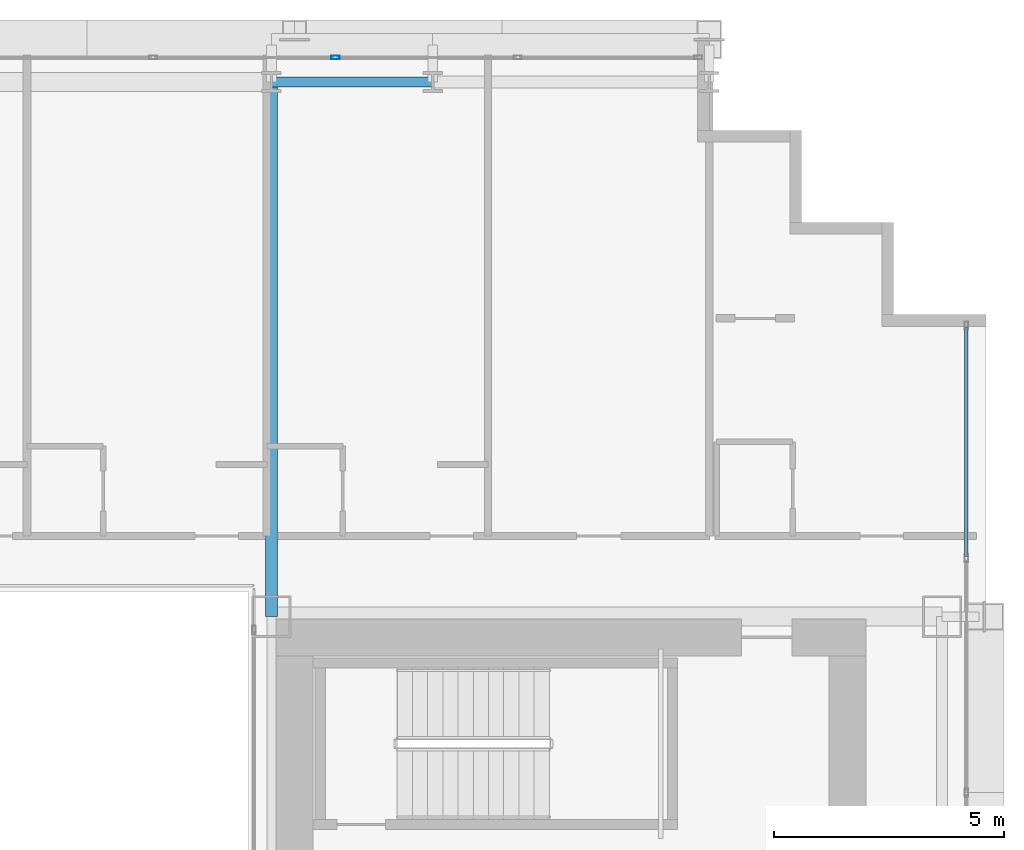
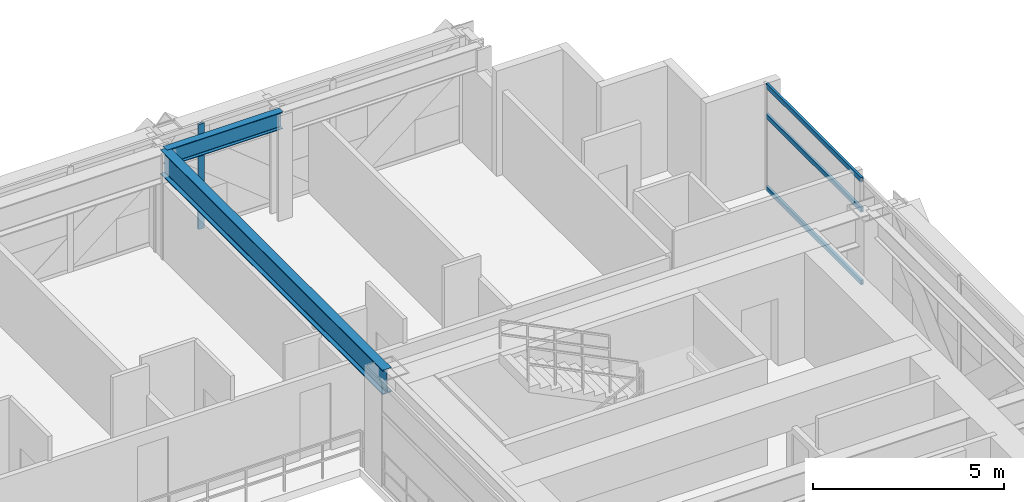
# One storey, part 24 of 41: 4 members, 2 beams, 2 elements without a shape of their own.
"""IFC4 building model written with IfcOpenShell, lengths in metres."""

from ifc_helpers import new_model, si_unit, direction, frame, origin, origin_2d, place, context, subcontext, project, spatial, hollow_rectangle, i_section, extrude, source, transform, mapped, material, layer, layer_set, material_profile, profile_set, type_object, element, aggregate, save


model = new_model("IFC4")

# Units and contexts
model_context = context("Model", 3, precision=1e-05, world=origin(), true_north=direction((0.0, 1.0)))
body_context = subcontext(model_context, "Body", "Model", "MODEL_VIEW")
ifc_project = project(units=[si_unit("LENGTHUNIT", "METRE"), si_unit("AREAUNIT", "SQUARE_METRE"), si_unit("VOLUMEUNIT", "CUBIC_METRE"), si_unit("PLANEANGLEUNIT", "RADIAN"), si_unit("MASSUNIT", "GRAM", prefix="KILO")], contexts=[model_context])

# Site, building, storey
site_placement = place(None, origin())
site = spatial("IfcSite", under=ifc_project, at=site_placement, CompositionType="ELEMENT")
building_placement = place(site_placement, origin())
building = spatial("IfcBuilding", under=site, at=building_placement, Name="Ocotamira Hotel", CompositionType="ELEMENT")
storey_placement = place(building_placement, frame((0.0, 0.0, 67.199951171875)))
storey = spatial("IfcBuildingStorey", under=building, at=storey_placement, Name="L16", CompositionType="ELEMENT", Elevation=67.199951171875)

# Beams
ifc_material_1 = material(Name="Steel ASTM A992 Grade 50", Category="steel")
ifc_material_profile_1 = material_profile(ifc_material_1, i_section(OverallWidth=0.2099609375, OverallDepth=0.537109375, WebThickness=0.010986328125, FlangeThickness=0.017333984375, FilletRadius=0.012939453125, at=origin_2d()), Name="W21X68")
ifc_profile_set_1 = profile_set([ifc_material_profile_1], Name="Steel ASTM A992 Grade 50")
beam_type_1 = type_object("IfcBeamType", Name="BM-SEC-W21X68", PredefinedType="JOIST", material=ifc_profile_set_1)
shared_shape_1 = source(origin(), body_context, "Body", "SweptSolid", [
    extrude(i_section(OverallWidth=0.2099609375, OverallDepth=0.537109375, WebThickness=0.010986328125, FlangeThickness=0.017333984375, FilletRadius=0.012939453125, at=origin_2d()), origin(), (0.0, 0.0, 1.0), 3.5),
])
beam_1_placement = place(storey_placement, frame((40.5, 49.050048828125, 3.08154296875), z_axis=(1.0, 0.0, 0.0), x_axis=(0.0, 1.0, 0.0)))
element("IfcBeam", 1, at=beam_1_placement, inside=storey, type_object=beam_type_1, Name="L16 Girder Y49.05 X40.5-44", PredefinedType="JOIST", context=body_context, shape_type="MappedRepresentation", body=[
    mapped(shared_shape_1, transform((0.0, 0.0, 0.0), scale=1.0)),
])
ifc_material_profile_2 = material_profile(ifc_material_1, i_section(OverallWidth=0.26611328125, OverallDepth=0.779052734375, WebThickness=0.0166015625, FlangeThickness=0.030029296875, FilletRadius=0.01806640625, at=origin_2d()), Name="W30X148")
ifc_profile_set_2 = profile_set([ifc_material_profile_2], Name="Steel ASTM A992 Grade 50")
beam_type_2 = type_object("IfcBeamType", Name="BM-GIRD-W30X148", PredefinedType="BEAM", material=ifc_profile_set_2)
shared_shape_2 = source(origin(), body_context, "Body", "SweptSolid", [
    extrude(i_section(OverallWidth=0.26611328125, OverallDepth=0.779052734375, WebThickness=0.0166015625, FlangeThickness=0.030029296875, FilletRadius=0.01806640625, at=origin_2d()), origin(), (0.0, 0.0, 1.0), 11.60009765625),
])
beam_2_placement = place(storey_placement, frame((40.5, 37.449951171875, 2.96044921875), z_axis=(0.0, 1.0, 0.0), x_axis=(-1.0, 0.0, 0.0)))
element("IfcBeam", 2, at=beam_2_placement, inside=storey, type_object=beam_type_2, Name="L16 Beam X40.5 Y37.45-49.05", PredefinedType="BEAM", context=body_context, shape_type="MappedRepresentation", body=[
    mapped(shared_shape_2, transform((0.0, 0.0, 0.0), scale=1.0)),
])

# Curtain wall, members
ifc_material_2 = material(Name="Anodised pale-metal aluminium and solar glass", Category="aluminium")
ifc_layer = layer(ifc_material_2, 0.179931640625)
ifc_layer_set = layer_set([ifc_layer], Name="Anodised pale-metal aluminium and solar glass")
curtain_wall_type = type_object("IfcCurtainWallType", Name="CW-SYS2-Z1", PredefinedType="NOTDEFINED", material=ifc_layer_set)
curtain_wall_1_placement = place(storey_placement, origin())
curtain_wall_1 = element("IfcCurtainWall", 3, at=curtain_wall_1_placement, inside=storey, type_object=curtain_wall_type, Name="L16 Curtain Wall CW-2 CW-L16-E", PredefinedType="NOTDEFINED")
ifc_material_3 = material(Name="Anodised pale-metal aluminium 6063-T6", Category="aluminium")
ifc_material_profile_3 = material_profile(ifc_material_3, hollow_rectangle(XDim=0.074951171875, YDim=0.14990234375, WallThickness=0.006103515625, at=origin_2d()), Name="HSS150X75X6")
ifc_profile_set_3 = profile_set([ifc_material_profile_3], Name="Anodised pale-metal aluminium 6063-T6")
member_type_1 = type_object("IfcMemberType", Name="CWT-150X75", PredefinedType="USERDEFINED", material=ifc_profile_set_3)
shared_shape_3 = source(origin(), body_context, "Body", "SweptSolid", [
    extrude(hollow_rectangle(XDim=0.074951171875, YDim=0.14990234375, WallThickness=0.006103515625, at=origin_2d()), origin(), (0.0, 0.0, 1.0), 4.965576171875),
])
member_1_placement = place(storey_placement, frame((55.580078125, 38.75439453125, 0.03759765625), z_axis=(0.0, 1.0, 0.0), x_axis=(-1.0, 0.0, 0.0)))
member_1 = element("IfcMember", 4, at=member_1_placement, type_object=member_type_1, Name="CW-2 transom 7.1", ObjectType="TRANSOM", PredefinedType="USERDEFINED", context=body_context, shape_type="MappedRepresentation", body=[
    mapped(shared_shape_3, transform((0.0, 0.0, 0.0), scale=1.0)),
])
member_2_placement = place(storey_placement, frame((55.580078125, 38.75439453125, 2.35009765625), z_axis=(0.0, 1.0, 0.0), x_axis=(-1.0, 0.0, 0.0)))
member_2 = element("IfcMember", 5, at=member_2_placement, type_object=member_type_1, Name="CW-2 transom 7.2", ObjectType="TRANSOM", PredefinedType="USERDEFINED", context=body_context, shape_type="MappedRepresentation", body=[
    mapped(shared_shape_3, transform((0.0, 0.0, 0.0), scale=1.0)),
])
member_3_placement = place(storey_placement, frame((55.580078125, 38.75439453125, 3.3125), z_axis=(0.0, 1.0, 0.0), x_axis=(-1.0, 0.0, 0.0)))
member_3 = element("IfcMember", 6, at=member_3_placement, type_object=member_type_1, Name="CW-2 transom 7.3", ObjectType="TRANSOM", PredefinedType="USERDEFINED", context=body_context, shape_type="MappedRepresentation", body=[
    mapped(shared_shape_3, transform((0.0, 0.0, 0.0), scale=1.0)),
])
aggregate(curtain_wall_1, [member_1, member_2, member_3])

# Curtain wall, member
curtain_wall_2_placement = place(storey_placement, origin())
curtain_wall_2 = element("IfcCurtainWall", 7, at=curtain_wall_2_placement, inside=storey, type_object=curtain_wall_type, Name="L16 Curtain Wall CW-2 CW-L16-N", PredefinedType="NOTDEFINED")
ifc_material_profile_4 = material_profile(ifc_material_3, hollow_rectangle(XDim=0.080078125, YDim=0.179931640625, WallThickness=0.006103515625, at=origin_2d()), Name="HSS180X80X6")
ifc_profile_set_4 = profile_set([ifc_material_profile_4], Name="Anodised pale-metal aluminium 6063-T6")
member_type_2 = type_object("IfcMemberType", Name="CWM-180X75", PredefinedType="MULLION", material=ifc_profile_set_4)
shared_shape_4 = source(origin(), body_context, "Body", "SweptSolid", [
    extrude(hollow_rectangle(XDim=0.080078125, YDim=0.179931640625, WallThickness=0.006103515625, at=origin_2d()), origin(), (0.0, 0.0, 1.0), 3.35009765625),
])
member_4_placement = place(storey_placement, frame((41.888916015625, 49.580078125, 0.0), z_axis=(0.0, 0.0, 1.0), x_axis=(0.0, 1.0, 0.0)))
member_4 = element("IfcMember", 8, at=member_4_placement, type_object=member_type_2, Name="CW-2 mullion 8", PredefinedType="MULLION", context=body_context, shape_type="MappedRepresentation", body=[
    mapped(shared_shape_4, transform((0.0, 0.0, 0.0), scale=1.0)),
])
aggregate(curtain_wall_2, [member_4])

save(model, "model.ifc")
